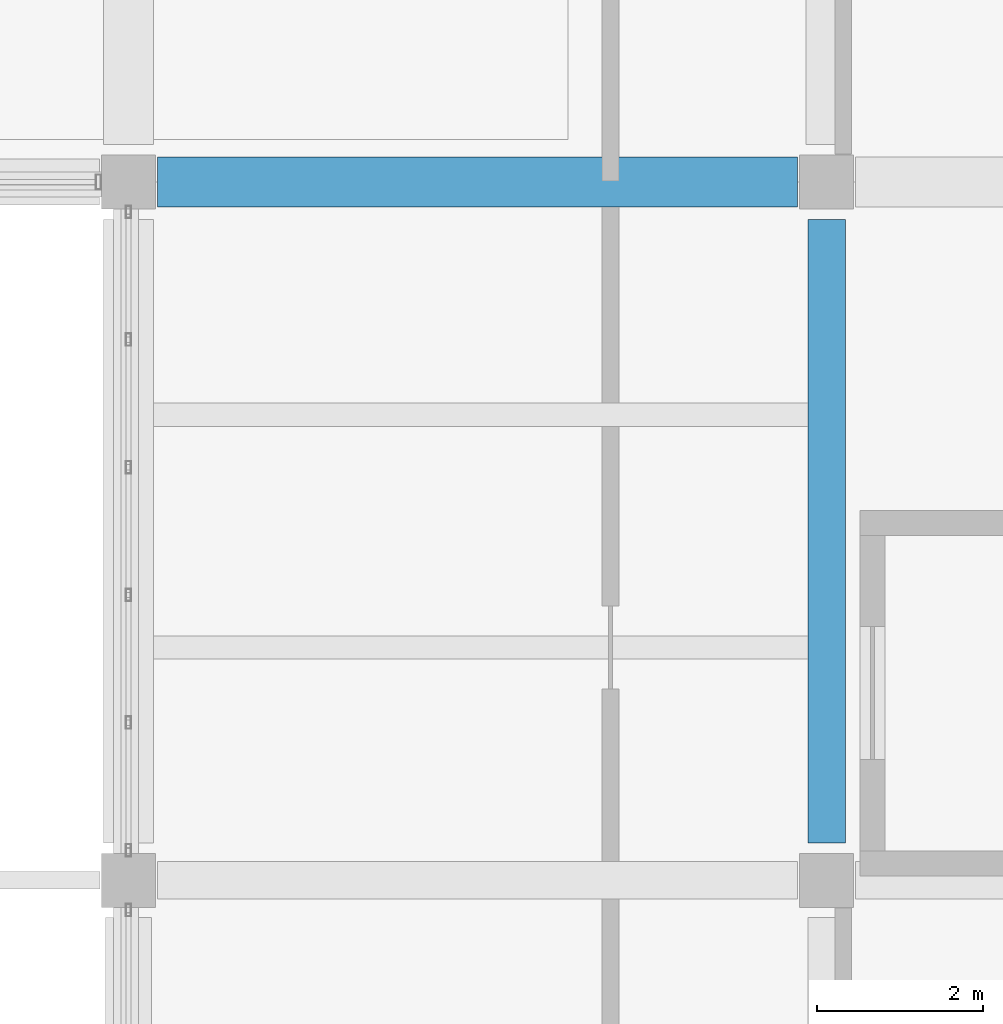
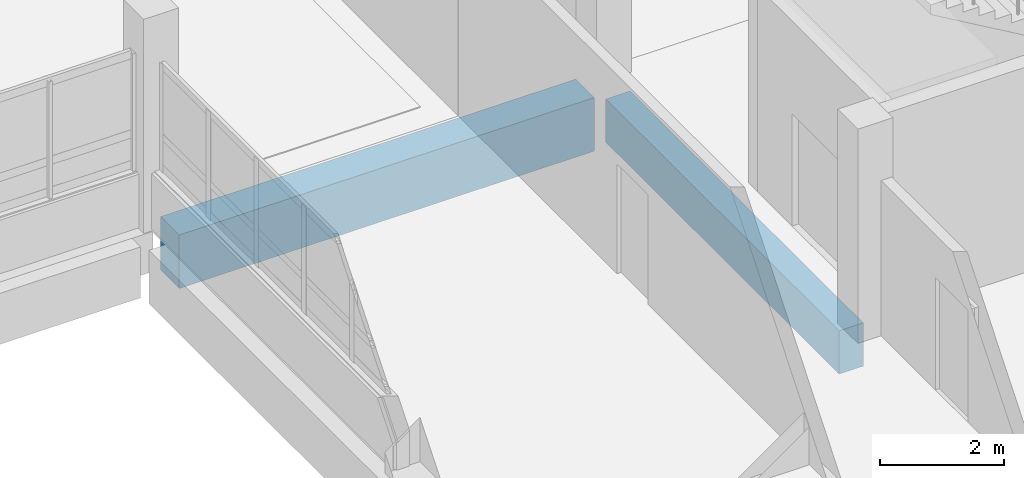
# One storey, part 58 of 101: 2 beams.
"""IFC4 building model written with IfcOpenShell, lengths in metres."""

from ifc_helpers import new_model, si_unit, direction, frame, origin, origin_2d, place, context, subcontext, project, spatial, rectangle, extrude, material, material_profile, profile_set, type_object, element, save


model = new_model("IFC4")

# Units and contexts
model_context = context("Model", 3, precision=1e-05, world=origin(), true_north=direction((0.0, 1.0)))
body_context = subcontext(model_context, "Body", "Model", "MODEL_VIEW")
ifc_project = project(units=[si_unit("LENGTHUNIT", "METRE"), si_unit("AREAUNIT", "SQUARE_METRE"), si_unit("VOLUMEUNIT", "CUBIC_METRE"), si_unit("PLANEANGLEUNIT", "RADIAN"), si_unit("MASSUNIT", "GRAM", prefix="KILO")], contexts=[model_context])

# Site, building, storey
site_placement = place(None, origin())
site = spatial("IfcSite", under=ifc_project, at=site_placement, CompositionType="ELEMENT")
building_placement = place(site_placement, origin())
building = spatial("IfcBuilding", under=site, at=building_placement, Name="Vireocrest Preparatory School", CompositionType="ELEMENT")
storey_placement = place(building_placement, frame((0.0, 0.0, 4.800048828125)))
storey = spatial("IfcBuildingStorey", under=building, at=storey_placement, Name="L01", CompositionType="ELEMENT", Elevation=4.800048828125)

# Beams
ifc_material = material(Name="Concrete 40 MPa", Category="concrete")
ifc_material_profile_1 = material_profile(ifc_material, rectangle(XDim=0.449951171875, YDim=0.85009765625, at=origin_2d()), Name="RC 450x850")
ifc_profile_set_1 = profile_set([ifc_material_profile_1], Name="Concrete 40 MPa")
beam_type_1 = type_object("IfcBeamType", Name="RC Heavy Floor Girder 450x850", PredefinedType="BEAM", material=ifc_profile_set_1)
beam_1_placement = place(storey_placement, frame((100.800048828125, 77.85009765625, -0.68505859375), z_axis=(0.0, 1.0, 0.0), x_axis=(-1.0, 0.0, 0.0)))
element("IfcBeam", 1, at=beam_1_placement, inside=storey, type_object=beam_type_1, Name="Primary Girder B13 L01-0456", PredefinedType="BEAM", context=body_context, shape_type="SweptSolid", body=[
    extrude(rectangle(XDim=0.449951171875, YDim=0.85009765625, at=origin_2d()), origin(), (0.0, 0.0, 1.0), 7.5),
])
ifc_material_profile_2 = material_profile(ifc_material, rectangle(XDim=0.60009765625, YDim=1.050048828125, at=origin_2d()), Name="RC 600x1050")
ifc_profile_set_2 = profile_set([ifc_material_profile_2], Name="Concrete 40 MPa")
beam_type_2 = type_object("IfcBeamType", Name="RC Transfer Girder 600x1050", PredefinedType="BEAM", material=ifc_profile_set_2)
beam_2_placement = place(storey_placement, frame((92.75, 85.800048828125, -0.804931640625), z_axis=(1.0, 0.0, 0.0), x_axis=(0.0, 1.0, 0.0)))
element("IfcBeam", 2, at=beam_2_placement, inside=storey, type_object=beam_type_2, Name="Primary Girder B19 L01-0341", PredefinedType="BEAM", context=body_context, shape_type="SweptSolid", body=[
    extrude(rectangle(XDim=0.60009765625, YDim=1.050048828125, at=origin_2d()), origin(), (0.0, 0.0, 1.0), 7.699951171875),
])

save(model, "model.ifc")
